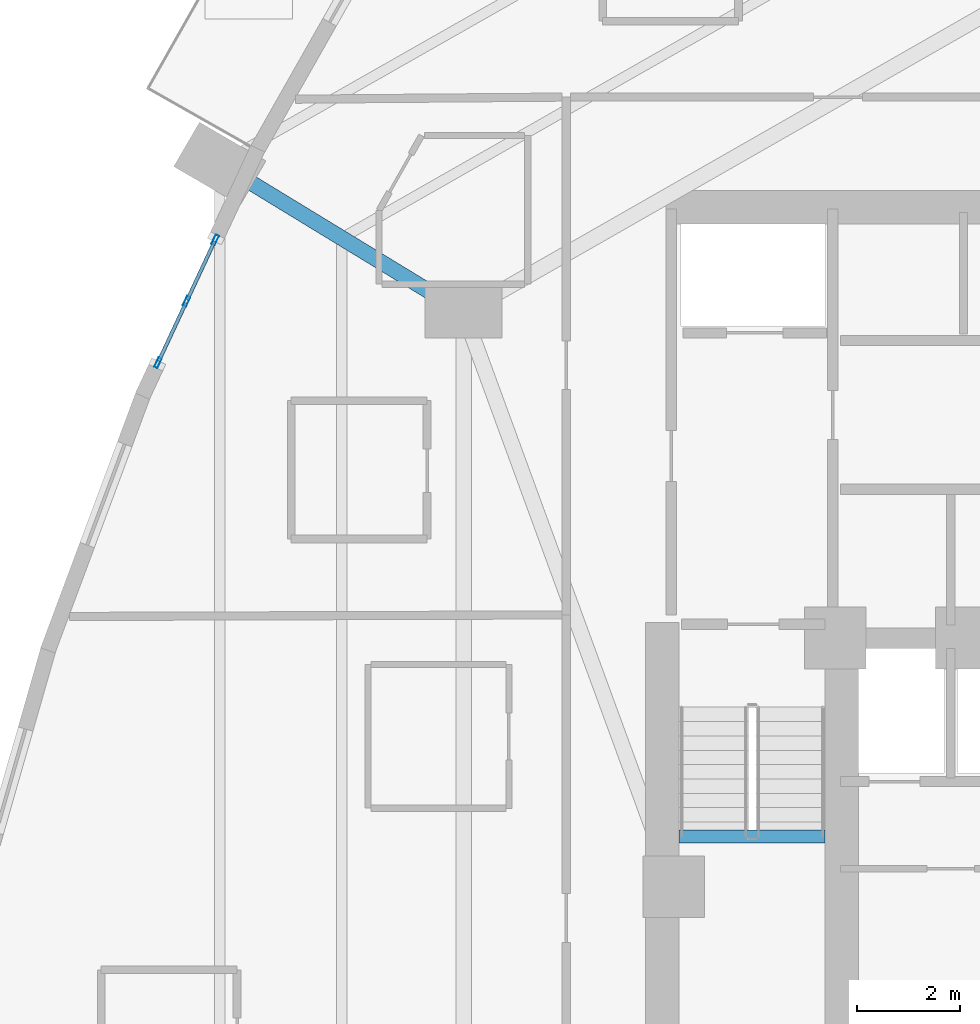
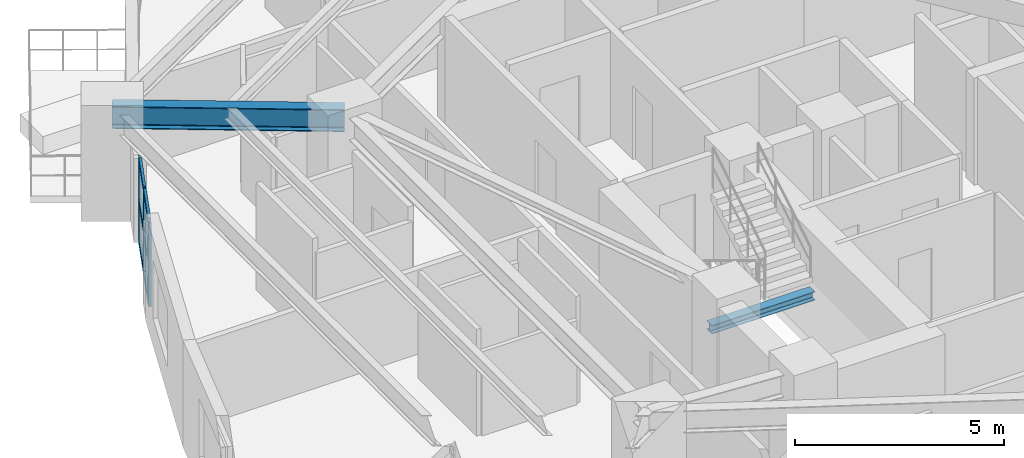
# One storey, part 2 of 17: 9 members, 2 beams, 1 element without a shape of its own.
"""IFC4 building model written with IfcOpenShell, lengths in metres."""

from ifc_helpers import new_model, si_unit, direction, frame, origin, origin_2d, place, context, subcontext, project, spatial, hollow_rectangle, i_section, extrude, material, layer, layer_set, material_profile, profile_set, type_object, element, aggregate, save


model = new_model("IFC4")

# Units and contexts
model_context = context("Model", 3, precision=1e-05, world=origin(), true_north=direction((0.0, 1.0)))
body_context = subcontext(model_context, "Body", "Model", "MODEL_VIEW")
ifc_project = project(units=[si_unit("LENGTHUNIT", "METRE"), si_unit("AREAUNIT", "SQUARE_METRE"), si_unit("VOLUMEUNIT", "CUBIC_METRE"), si_unit("PLANEANGLEUNIT", "RADIAN"), si_unit("MASSUNIT", "GRAM", prefix="KILO")], contexts=[model_context])

# Site, building, storey
site_placement = place(None, origin())
site = spatial("IfcSite", under=ifc_project, at=site_placement, CompositionType="ELEMENT")
building_placement = place(site_placement, origin())
building = spatial("IfcBuilding", under=site, at=building_placement, Name="Miruveldt Soraemaru", CompositionType="ELEMENT")
storey_placement = place(building_placement, frame((0.0, 0.0, 53.0)))
storey = spatial("IfcBuildingStorey", under=building, at=storey_placement, Name="L14", CompositionType="ELEMENT", Elevation=53.0)

# Beams
ifc_material_1 = material(Name="Steel SM355 (355 MPa)", Category="steel")
ifc_material_profile_1 = material_profile(ifc_material_1, i_section(OverallWidth=0.300048828125, OverallDepth=0.64990234375, WebThickness=0.012939453125, FlangeThickness=0.02197265625, FilletRadius=0.02587890625, at=origin_2d()), Name="Steel SM355 (355 MPa)", Category="steel")
ifc_profile_set_1 = profile_set([ifc_material_profile_1], Name="Steel SM355 (355 MPa)")
beam_type_1 = type_object("IfcBeamType", Name="BM-ST-H650", PredefinedType="BEAM", material=ifc_profile_set_1)
beam_1_placement = place(storey_placement, frame((31.39990234375, 50.39990234375, 2.800048828125), z_axis=(-0.853777644156, 0.520637814935, 0.0), x_axis=(-0.520637814935, -0.853777644156, 0.0)))
element("IfcBeam", 1, at=beam_1_placement, inside=storey, type_object=beam_type_1, Name="L14 Zone-1 Radial Girder 6", PredefinedType="BEAM", context=body_context, shape_type="SweptSolid", body=[
    extrude(i_section(OverallWidth=0.300048828125, OverallDepth=0.64990234375, WebThickness=0.012939453125, FlangeThickness=0.02197265625, FilletRadius=0.02587890625, at=origin_2d()), origin(), (0.0, 0.0, 1.0), 5.5703125),
])
ifc_material_profile_2 = material_profile(ifc_material_1, i_section(OverallWidth=0.25, OverallDepth=0.25, WebThickness=0.009033203125, FlangeThickness=0.013916015625, FilletRadius=0.01611328125, at=origin_2d()), Name="Steel SM355 (355 MPa)", Category="steel")
ifc_profile_set_2 = profile_set([ifc_material_profile_2], Name="Steel SM355 (355 MPa)")
beam_type_2 = type_object("IfcBeamType", Name="BM-ST-LND250", PredefinedType="BEAM", material=ifc_profile_set_2)
beam_2_placement = place(storey_placement, frame((35.60009765625, 40.179931640625, 1.375), z_axis=(1.0, 0.0, 0.0), x_axis=(0.0, 1.0, 0.0)))
element("IfcBeam", 2, at=beam_2_placement, inside=storey, type_object=beam_type_2, Name="L14 ST1 Landing Support Beam 1A", PredefinedType="BEAM", context=body_context, shape_type="SweptSolid", body=[
    extrude(i_section(OverallWidth=0.25, OverallDepth=0.25, WebThickness=0.009033203125, FlangeThickness=0.013916015625, FilletRadius=0.01611328125, at=origin_2d()), origin(), (0.0, 0.0, 1.0), 2.849853515625),
])

# Curtain wall, members
ifc_material_2 = material(Name="Anodised aluminium EN AW-6063 T6", Category="aluminium")
ifc_layer = layer(ifc_material_2, 0.199951171875, Name="Anodised aluminium EN AW-6063 T6", Category="aluminium")
ifc_layer_set = layer_set([ifc_layer], Name="Anodised aluminium EN AW-6063 T6")
curtain_wall_type = type_object("IfcCurtainWallType", Name="CW-SYS-3", PredefinedType="USERDEFINED", material=ifc_layer_set)
curtain_wall_placement = place(storey_placement, origin())
curtain_wall = element("IfcCurtainWall", 3, at=curtain_wall_placement, inside=storey, type_object=curtain_wall_type, Name="L14 Curtain Wall Bay 11", ObjectType="UNITISED GLAZING", PredefinedType="USERDEFINED")
ifc_material_profile_3 = material_profile(ifc_material_2, hollow_rectangle(XDim=0.070068359375, YDim=0.199951171875, WallThickness=0.00390625, at=origin_2d()), Name="Anodised aluminium EN AW-6063 T6", Category="aluminium")
ifc_profile_set_3 = profile_set([ifc_material_profile_3], Name="Anodised aluminium EN AW-6063 T6")
member_type_1 = type_object("IfcMemberType", Name="CWM-3", PredefinedType="MULLION", material=ifc_profile_set_3)
member_1_placement = place(storey_placement, frame((26.554443359375, 51.813720703125, 0.0), z_axis=(0.0, 0.0, 1.0), x_axis=(0.906440985596, -0.422332498904, 0.0)))
member_1 = element("IfcMember", 4, at=member_1_placement, type_object=member_type_1, Name="CW-3 mullion 1", PredefinedType="MULLION", context=body_context, shape_type="SweptSolid", body=[
    extrude(hollow_rectangle(XDim=0.070068359375, YDim=0.199951171875, WallThickness=0.00390625, at=origin_2d()), origin(), (0.0, 0.0, 1.0), 2.462890625),
])
member_2_placement = place(storey_placement, frame((25.996337890625, 50.615966796875, 0.0), z_axis=(0.0, 0.0, 1.0), x_axis=(0.906440985596, -0.422332498904, 0.0)))
member_2 = element("IfcMember", 5, at=member_2_placement, type_object=member_type_1, Name="CW-3 mullion 2", PredefinedType="MULLION", context=body_context, shape_type="SweptSolid", body=[
    extrude(hollow_rectangle(XDim=0.070068359375, YDim=0.199951171875, WallThickness=0.00390625, at=origin_2d()), origin(), (0.0, 0.0, 1.0), 2.462890625),
])
member_3_placement = place(storey_placement, frame((25.438232421875, 49.41796875, 0.0), z_axis=(0.0, 0.0, 1.0), x_axis=(0.906440985596, -0.422332498904, 0.0)))
member_3 = element("IfcMember", 6, at=member_3_placement, type_object=member_type_1, Name="CW-3 mullion 3", PredefinedType="MULLION", context=body_context, shape_type="SweptSolid", body=[
    extrude(hollow_rectangle(XDim=0.070068359375, YDim=0.199951171875, WallThickness=0.00390625, at=origin_2d()), origin(), (0.0, 0.0, 1.0), 2.462890625),
])
ifc_material_profile_4 = material_profile(ifc_material_2, hollow_rectangle(XDim=0.070068359375, YDim=0.14990234375, WallThickness=0.00390625, at=origin_2d()), Name="Anodised aluminium EN AW-6063 T6", Category="aluminium")
ifc_profile_set_4 = profile_set([ifc_material_profile_4], Name="Anodised aluminium EN AW-6063 T6")
member_type_2 = type_object("IfcMemberType", Name="CWT-3", PredefinedType="USERDEFINED", material=ifc_profile_set_4)
member_4_placement = place(storey_placement, frame((26.53955078125, 51.781982421875, 0.034912109375), z_axis=(-0.422383419175, -0.906417258886, 0.0), x_axis=(0.906417258886, -0.422383419175, 0.0)))
member_4 = element("IfcMember", 7, at=member_4_placement, type_object=member_type_2, Name="CW-3 transom 1.1", ObjectType="TRANSOM", PredefinedType="USERDEFINED", context=body_context, shape_type="SweptSolid", body=[
    extrude(hollow_rectangle(XDim=0.070068359375, YDim=0.14990234375, WallThickness=0.00390625, at=origin_2d()), origin(), (0.0, 0.0, 1.0), 1.25146484375),
])
member_5_placement = place(storey_placement, frame((26.53955078125, 51.781982421875, 1.2314453125), z_axis=(-0.422383419175, -0.906417258886, 0.0), x_axis=(0.906417258886, -0.422383419175, 0.0)))
member_5 = element("IfcMember", 8, at=member_5_placement, type_object=member_type_2, Name="CW-3 transom 1.2", ObjectType="TRANSOM", PredefinedType="USERDEFINED", context=body_context, shape_type="SweptSolid", body=[
    extrude(hollow_rectangle(XDim=0.070068359375, YDim=0.14990234375, WallThickness=0.00390625, at=origin_2d()), origin(), (0.0, 0.0, 1.0), 1.25146484375),
])
member_6_placement = place(storey_placement, frame((26.53955078125, 51.781982421875, 2.427978515625), z_axis=(-0.422383419175, -0.906417258886, 0.0), x_axis=(0.906417258886, -0.422383419175, 0.0)))
member_6 = element("IfcMember", 9, at=member_6_placement, type_object=member_type_2, Name="CW-3 transom 1.3", ObjectType="TRANSOM", PredefinedType="USERDEFINED", context=body_context, shape_type="SweptSolid", body=[
    extrude(hollow_rectangle(XDim=0.070068359375, YDim=0.14990234375, WallThickness=0.00390625, at=origin_2d()), origin(), (0.0, 0.0, 1.0), 1.25146484375),
])
member_7_placement = place(storey_placement, frame((25.9814453125, 50.584228515625, 0.034912109375), z_axis=(-0.422308737245, -0.906452056342, 0.0), x_axis=(0.906452056342, -0.422308737245, 0.0)))
member_7 = element("IfcMember", 10, at=member_7_placement, type_object=member_type_2, Name="CW-3 transom 2.1", ObjectType="TRANSOM", PredefinedType="USERDEFINED", context=body_context, shape_type="SweptSolid", body=[
    extrude(hollow_rectangle(XDim=0.070068359375, YDim=0.14990234375, WallThickness=0.00390625, at=origin_2d()), origin(), (0.0, 0.0, 1.0), 1.251708984375),
])
member_8_placement = place(storey_placement, frame((25.9814453125, 50.584228515625, 1.2314453125), z_axis=(-0.422308737245, -0.906452056342, 0.0), x_axis=(0.906452056342, -0.422308737245, 0.0)))
member_8 = element("IfcMember", 11, at=member_8_placement, type_object=member_type_2, Name="CW-3 transom 2.2", ObjectType="TRANSOM", PredefinedType="USERDEFINED", context=body_context, shape_type="SweptSolid", body=[
    extrude(hollow_rectangle(XDim=0.070068359375, YDim=0.14990234375, WallThickness=0.00390625, at=origin_2d()), origin(), (0.0, 0.0, 1.0), 1.251708984375),
])
member_9_placement = place(storey_placement, frame((25.9814453125, 50.584228515625, 2.427978515625), z_axis=(-0.422308737245, -0.906452056342, 0.0), x_axis=(0.906452056342, -0.422308737245, 0.0)))
member_9 = element("IfcMember", 12, at=member_9_placement, type_object=member_type_2, Name="CW-3 transom 2.3", ObjectType="TRANSOM", PredefinedType="USERDEFINED", context=body_context, shape_type="SweptSolid", body=[
    extrude(hollow_rectangle(XDim=0.070068359375, YDim=0.14990234375, WallThickness=0.00390625, at=origin_2d()), origin(), (0.0, 0.0, 1.0), 1.251708984375),
])
aggregate(curtain_wall, [member_1, member_2, member_3, member_4, member_5, member_6, member_7, member_8, member_9])

save(model, "model.ifc")
